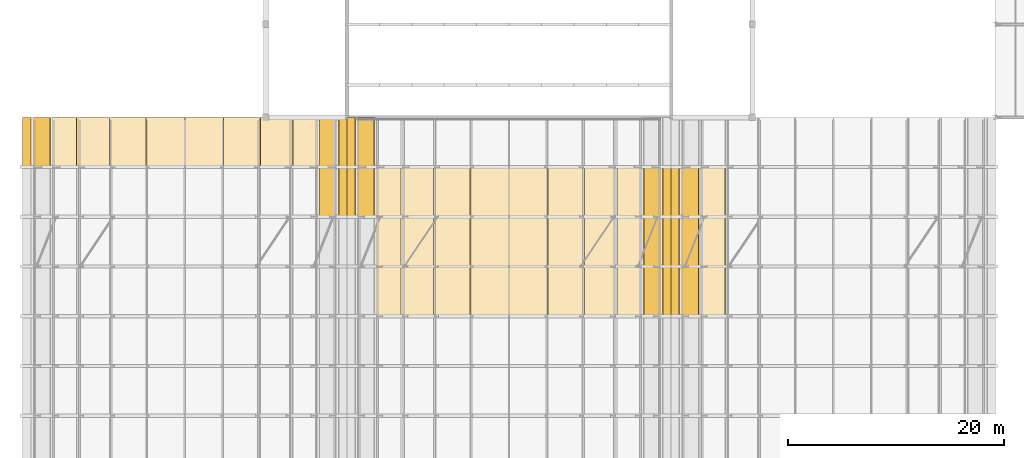
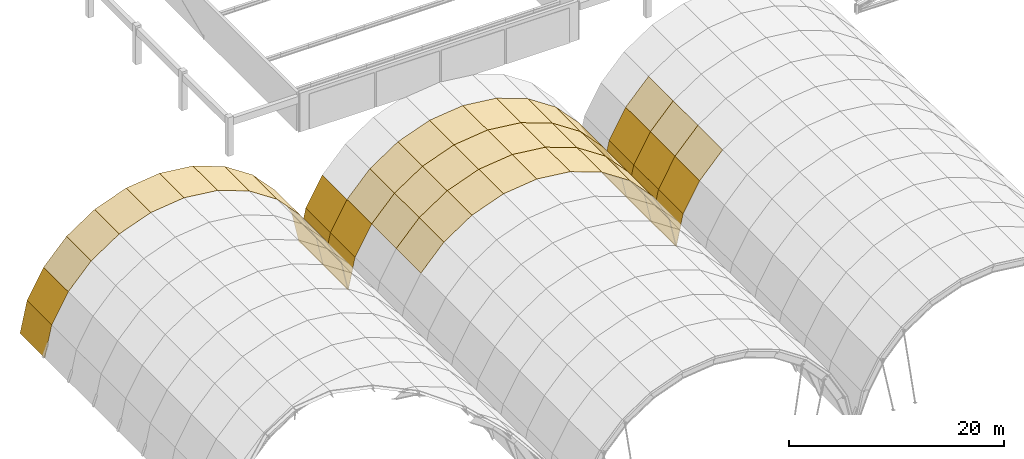
# One storey, part 44 of 47: 57 coverings.
"""IFC4 building model written with IfcOpenShell, lengths in metres."""

from ifc_helpers import new_model, si_unit, direction, frame, origin, place, context, subcontext, project, spatial, polyline, outline, extrude, material, layer, layer_set, type_object, element, save


model = new_model("IFC4")

# Units and contexts
model_context = context("Model", 3, precision=1e-05, world=origin(), true_north=direction((0.0, 1.0)))
body_context = subcontext(model_context, "Body", "Model", "MODEL_VIEW")
ifc_project = project(units=[si_unit("LENGTHUNIT", "METRE"), si_unit("AREAUNIT", "SQUARE_METRE"), si_unit("VOLUMEUNIT", "CUBIC_METRE"), si_unit("PLANEANGLEUNIT", "RADIAN"), si_unit("MASSUNIT", "GRAM", prefix="KILO")], contexts=[model_context])

# Site, building, storey
site_placement = place(None, origin())
site = spatial("IfcSite", under=ifc_project, at=site_placement, CompositionType="ELEMENT")
building_placement = place(site_placement, origin())
building = spatial("IfcBuilding", under=site, at=building_placement, Name="Muzn Square Opera House", CompositionType="ELEMENT")
storey_placement = place(building_placement, frame((0.0, 0.0, 31.0)))
storey = spatial("IfcBuildingStorey", under=building, at=storey_placement, Name="RF-1", CompositionType="ELEMENT", Elevation=31.0)

# Coverings
ifc_material = material(Name="Patina green copper-zinc standing seam", Category="metal")
ifc_layer = layer(ifc_material, 0.0400390625, Name="Patina green copper-zinc standing seam", Category="metal")
ifc_layer_set = layer_set([ifc_layer], Name="Patina green copper-zinc standing seam")
covering_type = type_object("IfcCoveringType", Name="Standing Seam Green Vault Roofing", PredefinedType="ROOFING", material=ifc_layer_set)
covering_1_placement = place(storey_placement, frame((70.47509765625, 63.39990234375, -5.8681640625), z_axis=(0.870532696062, 0.0, 0.492110582174), x_axis=(0.492110582174, 0.0, -0.870532696062)))
element("IfcCovering", 1, at=covering_1_placement, inside=storey, type_object=covering_type, Name="Patina Green Standing Seam Vault Roofing V1-09-F10", PredefinedType="ROOFING", context=body_context, shape_type="SweptSolid", body=[
    extrude(outline(polyline([(0.0, 0.0), (3.6206055016752363, 0.0), (3.6206055016752363, 4.60009765625), (0.0, 4.60009765625), (0.0, 0.0)])), origin(), (0.0, 0.0, -1.0), 0.0400390625),
])
covering_2_placement = place(storey_placement, frame((72.2568359375, 63.39990234375, -9.02001953125), z_axis=(0.976986683404, 0.0, 0.213300305792), x_axis=(0.213300305792, 0.0, -0.976986683404)))
element("IfcCovering", 2, at=covering_2_placement, inside=storey, type_object=covering_type, Name="Patina Green Standing Seam Vault Roofing V1-09-F11", PredefinedType="ROOFING", context=body_context, shape_type="SweptSolid", body=[
    extrude(outline(polyline([(0.0, 0.0), (3.5619528166180294, 0.0), (3.5619528166180294, 4.600097656249999), (0.0, 4.600097656249999), (0.0, 0.0)])), origin(), (0.0, 0.0, -1.0), 0.0400390625),
])
covering_3_placement = place(storey_placement, frame((43.7431640625, 68.0, -9.02001953125), z_axis=(-0.976986683404, 0.0, 0.213300305792), x_axis=(0.0, 1.0, 0.0)))
element("IfcCovering", 3, at=covering_3_placement, inside=storey, type_object=covering_type, Name="Patina Green Standing Seam Vault Roofing V1-10-F00", PredefinedType="ROOFING", context=body_context, shape_type="SweptSolid", body=[
    extrude(outline(polyline([(0.0, 3.561952816618029), (0.0, 0.0), (4.60009765625, 0.0), (4.60009765625, 3.561952816618029), (0.0, 3.561952816618029)])), origin(), (0.0, 0.0, -1.0), 0.0400390625),
])
covering_4_placement = place(storey_placement, frame((45.52490234375, 68.0, -5.8681640625), z_axis=(-0.870532696062, 0.0, 0.492110582174), x_axis=(0.0, 1.0, 0.0)))
element("IfcCovering", 4, at=covering_4_placement, inside=storey, type_object=covering_type, Name="Patina Green Standing Seam Vault Roofing V1-10-F01", PredefinedType="ROOFING", context=body_context, shape_type="SweptSolid", body=[
    extrude(outline(polyline([(0.0, 3.620605501675236), (0.0, 0.0), (4.60009765625, 0.0), (4.60009765625, 3.620605501675236), (0.0, 3.620605501675236)])), origin(), (0.0, 0.0, -1.0), 0.0400390625),
])
covering_5_placement = place(storey_placement, frame((47.99072265625, 68.0, -3.217041015625), z_axis=(-0.732233658575, 0.0, 0.68105349955), x_axis=(0.0, 1.0, 0.0)))
element("IfcCovering", 5, at=covering_5_placement, inside=storey, type_object=covering_type, Name="Patina Green Standing Seam Vault Roofing V1-10-F02", PredefinedType="ROOFING", context=body_context, shape_type="SweptSolid", body=[
    extrude(outline(polyline([(0.0, 3.6205970810364114), (0.0, 0.0), (4.60009765625, 0.0), (4.60009765625, 3.6205970810364114), (0.0, 3.6205970810364114)])), origin(), (0.0, 0.0, -1.0), 0.0400390625),
])
covering_6_placement = place(storey_placement, frame((51.005859375, 68.0, -1.212158203125), z_axis=(-0.553703965812, 0.0, 0.832713587162), x_axis=(0.0, 1.0, 0.0)))
element("IfcCovering", 6, at=covering_6_placement, inside=storey, type_object=covering_type, Name="Patina Green Standing Seam Vault Roofing V1-10-F03", PredefinedType="ROOFING", context=body_context, shape_type="SweptSolid", body=[
    extrude(outline(polyline([(0.0, 3.620856877123484), (0.0, 0.0), (4.60009765625, 0.0), (4.60009765625, 3.620856877123484), (0.0, 3.620856877123484)])), origin(), (0.0, 0.0, -1.0), 0.0400390625),
])
covering_7_placement = place(storey_placement, frame((54.404296875, 68.0, 0.036376953125), z_axis=(-0.344848988651, 0.0, 0.938658177947), x_axis=(0.0, 1.0, 0.0)))
element("IfcCovering", 7, at=covering_7_placement, inside=storey, type_object=covering_type, Name="Patina Green Standing Seam Vault Roofing V1-10-F04", PredefinedType="ROOFING", context=body_context, shape_type="SweptSolid", body=[
    extrude(outline(polyline([(0.0, 3.6205272375440654), (0.0, 0.0), (4.60009765625, 0.0), (4.60009765625, 3.6205272375440654), (0.0, 3.6205272375440654)])), origin(), (0.0, 0.0, -1.0), 0.0400390625),
])
covering_8_placement = place(storey_placement, frame((58.0, 68.0, 0.4599609375), z_axis=(-0.116993830326, 0.0, 0.993132641527), x_axis=(0.0, 1.0, 0.0)))
element("IfcCovering", 8, at=covering_8_placement, inside=storey, type_object=covering_type, Name="Patina Green Standing Seam Vault Roofing V1-10-F05", PredefinedType="ROOFING", context=body_context, shape_type="SweptSolid", body=[
    extrude(outline(polyline([(0.0, 3.620566855473569), (0.0, 0.0), (4.60009765625, 0.0), (4.60009765625, 3.620566855473569), (0.0, 3.620566855473569)])), origin(), (0.0, 0.0, -1.0), 0.0400390625),
])
covering_9_placement = place(storey_placement, frame((58.0, 68.0, 0.4599609375), z_axis=(0.116993830326, 0.0, 0.993132641527), x_axis=(0.993132641527, 0.0, -0.116993830326)))
element("IfcCovering", 9, at=covering_9_placement, inside=storey, type_object=covering_type, Name="Patina Green Standing Seam Vault Roofing V1-10-F06", PredefinedType="ROOFING", context=body_context, shape_type="SweptSolid", body=[
    extrude(outline(polyline([(0.0, 0.0), (3.620566855473569, 0.0), (3.620566855473569, 4.60009765625), (0.0, 4.60009765625), (0.0, 0.0)])), origin(), (0.0, 0.0, -1.0), 0.0400390625),
])
covering_10_placement = place(storey_placement, frame((61.595703125, 68.0, 0.036376953125), z_axis=(0.344848988651, 0.0, 0.938658177947), x_axis=(0.938658177947, 0.0, -0.344848988651)))
element("IfcCovering", 10, at=covering_10_placement, inside=storey, type_object=covering_type, Name="Patina Green Standing Seam Vault Roofing V1-10-F07", PredefinedType="ROOFING", context=body_context, shape_type="SweptSolid", body=[
    extrude(outline(polyline([(0.0, 0.0), (3.6205272375440654, 0.0), (3.6205272375440654, 4.60009765625), (0.0, 4.60009765625), (0.0, 0.0)])), origin(), (0.0, 0.0, -1.0), 0.0400390625),
])
covering_11_placement = place(storey_placement, frame((64.994140625, 68.0, -1.212158203125), z_axis=(0.553703965812, 0.0, 0.832713587162), x_axis=(0.832713587162, 0.0, -0.553703965812)))
element("IfcCovering", 11, at=covering_11_placement, inside=storey, type_object=covering_type, Name="Patina Green Standing Seam Vault Roofing V1-10-F08", PredefinedType="ROOFING", context=body_context, shape_type="SweptSolid", body=[
    extrude(outline(polyline([(0.0, 0.0), (3.620856877123484, 0.0), (3.620856877123484, 4.60009765625), (0.0, 4.60009765625), (0.0, 0.0)])), origin(), (0.0, 0.0, -1.0), 0.0400390625),
])
covering_12_placement = place(storey_placement, frame((68.00927734375, 68.0, -3.217041015625), z_axis=(0.732233658575, 0.0, 0.68105349955), x_axis=(0.68105349955, 0.0, -0.732233658575)))
element("IfcCovering", 12, at=covering_12_placement, inside=storey, type_object=covering_type, Name="Patina Green Standing Seam Vault Roofing V1-10-F09", PredefinedType="ROOFING", context=body_context, shape_type="SweptSolid", body=[
    extrude(outline(polyline([(0.0, 0.0), (3.6205970810364114, 0.0), (3.6205970810364114, 4.60009765625), (0.0, 4.60009765625), (0.0, 0.0)])), origin(), (0.0, 0.0, -1.0), 0.0400390625),
])
covering_13_placement = place(storey_placement, frame((70.47509765625, 68.0, -5.8681640625), z_axis=(0.870532696062, 0.0, 0.492110582174), x_axis=(0.492110582174, 0.0, -0.870532696062)))
element("IfcCovering", 13, at=covering_13_placement, inside=storey, type_object=covering_type, Name="Patina Green Standing Seam Vault Roofing V1-10-F10", PredefinedType="ROOFING", context=body_context, shape_type="SweptSolid", body=[
    extrude(outline(polyline([(0.0, 0.0), (3.6206055016752363, 0.0), (3.6206055016752363, 4.60009765625), (0.0, 4.60009765625), (0.0, 0.0)])), origin(), (0.0, 0.0, -1.0), 0.0400390625),
])
covering_14_placement = place(storey_placement, frame((72.2568359375, 68.0, -9.02001953125), z_axis=(0.976986683404, 0.0, 0.213300305792), x_axis=(0.213300305792, 0.0, -0.976986683404)))
element("IfcCovering", 14, at=covering_14_placement, inside=storey, type_object=covering_type, Name="Patina Green Standing Seam Vault Roofing V1-10-F11", PredefinedType="ROOFING", context=body_context, shape_type="SweptSolid", body=[
    extrude(outline(polyline([(0.0, 0.0), (3.5619528166180294, 0.0), (3.5619528166180294, 4.600097656249999), (0.0, 4.600097656249999), (0.0, 0.0)])), origin(), (0.0, 0.0, -1.0), 0.0400390625),
])
covering_15_placement = place(storey_placement, frame((77.99072265625, 54.199951171875, -3.217041015625), z_axis=(-0.732233658575, 0.0, 0.68105349955), x_axis=(0.0, 1.0, 0.0)))
element("IfcCovering", 15, at=covering_15_placement, inside=storey, type_object=covering_type, Name="Patina Green Standing Seam Vault Roofing V2-07-F02", PredefinedType="ROOFING", context=body_context, shape_type="SweptSolid", body=[
    extrude(outline(polyline([(0.0, 3.6205970810364114), (0.0, 0.0), (4.60009765625, 0.0), (4.60009765625, 3.6205970810364114), (0.0, 3.6205970810364114)])), origin(), (0.0, 0.0, -1.0), 0.0400390625),
])
covering_16_placement = place(storey_placement, frame((81.005859375, 54.199951171875, -1.212158203125), z_axis=(-0.553703965812, 0.0, 0.832713587162), x_axis=(0.0, 1.0, 0.0)))
element("IfcCovering", 16, at=covering_16_placement, inside=storey, type_object=covering_type, Name="Patina Green Standing Seam Vault Roofing V2-07-F03", PredefinedType="ROOFING", context=body_context, shape_type="SweptSolid", body=[
    extrude(outline(polyline([(0.0, 3.620856877123484), (0.0, 0.0), (4.60009765625, 0.0), (4.60009765625, 3.620856877123484), (0.0, 3.620856877123484)])), origin(), (0.0, 0.0, -1.0), 0.0400390625),
])
covering_17_placement = place(storey_placement, frame((84.404296875, 54.199951171875, 0.036376953125), z_axis=(-0.344848988651, 0.0, 0.938658177947), x_axis=(0.0, 1.0, 0.0)))
element("IfcCovering", 17, at=covering_17_placement, inside=storey, type_object=covering_type, Name="Patina Green Standing Seam Vault Roofing V2-07-F04", PredefinedType="ROOFING", context=body_context, shape_type="SweptSolid", body=[
    extrude(outline(polyline([(0.0, 3.6205272375440654), (0.0, 0.0), (4.60009765625, 0.0), (4.60009765625, 3.6205272375440654), (0.0, 3.6205272375440654)])), origin(), (0.0, 0.0, -1.0), 0.0400390625),
])
covering_18_placement = place(storey_placement, frame((88.0, 54.199951171875, 0.4599609375), z_axis=(-0.116993830326, 0.0, 0.993132641527), x_axis=(0.0, 1.0, 0.0)))
element("IfcCovering", 18, at=covering_18_placement, inside=storey, type_object=covering_type, Name="Patina Green Standing Seam Vault Roofing V2-07-F05", PredefinedType="ROOFING", context=body_context, shape_type="SweptSolid", body=[
    extrude(outline(polyline([(0.0, 3.620566855473569), (0.0, 0.0), (4.60009765625, 0.0), (4.60009765625, 3.620566855473569), (0.0, 3.620566855473569)])), origin(), (0.0, 0.0, -1.0), 0.0400390625),
])
covering_19_placement = place(storey_placement, frame((88.0, 54.199951171875, 0.4599609375), z_axis=(0.116993830326, 0.0, 0.993132641527), x_axis=(0.993132641527, 0.0, -0.116993830326)))
element("IfcCovering", 19, at=covering_19_placement, inside=storey, type_object=covering_type, Name="Patina Green Standing Seam Vault Roofing V2-07-F06", PredefinedType="ROOFING", context=body_context, shape_type="SweptSolid", body=[
    extrude(outline(polyline([(0.0, 0.0), (3.620566855473569, 0.0), (3.620566855473569, 4.60009765625), (0.0, 4.60009765625), (0.0, 0.0)])), origin(), (0.0, 0.0, -1.0), 0.0400390625),
])
covering_20_placement = place(storey_placement, frame((91.595703125, 54.199951171875, 0.036376953125), z_axis=(0.344848988651, 0.0, 0.938658177947), x_axis=(0.938658177947, 0.0, -0.344848988651)))
element("IfcCovering", 20, at=covering_20_placement, inside=storey, type_object=covering_type, Name="Patina Green Standing Seam Vault Roofing V2-07-F07", PredefinedType="ROOFING", context=body_context, shape_type="SweptSolid", body=[
    extrude(outline(polyline([(0.0, 0.0), (3.6205272375440654, 0.0), (3.6205272375440654, 4.60009765625), (0.0, 4.60009765625), (0.0, 0.0)])), origin(), (0.0, 0.0, -1.0), 0.0400390625),
])
covering_21_placement = place(storey_placement, frame((94.994140625, 54.199951171875, -1.212158203125), z_axis=(0.553703965812, 0.0, 0.832713587162), x_axis=(0.832713587162, 0.0, -0.553703965812)))
element("IfcCovering", 21, at=covering_21_placement, inside=storey, type_object=covering_type, Name="Patina Green Standing Seam Vault Roofing V2-07-F08", PredefinedType="ROOFING", context=body_context, shape_type="SweptSolid", body=[
    extrude(outline(polyline([(0.0, 0.0), (3.620856877123484, 0.0), (3.620856877123484, 4.60009765625), (0.0, 4.60009765625), (0.0, 0.0)])), origin(), (0.0, 0.0, -1.0), 0.0400390625),
])
covering_22_placement = place(storey_placement, frame((98.00927734375, 54.199951171875, -3.217041015625), z_axis=(0.732233658575, 0.0, 0.68105349955), x_axis=(0.68105349955, 0.0, -0.732233658575)))
element("IfcCovering", 22, at=covering_22_placement, inside=storey, type_object=covering_type, Name="Patina Green Standing Seam Vault Roofing V2-07-F09", PredefinedType="ROOFING", context=body_context, shape_type="SweptSolid", body=[
    extrude(outline(polyline([(0.0, 0.0), (3.6205970810364114, 0.0), (3.6205970810364114, 4.60009765625), (0.0, 4.60009765625), (0.0, 0.0)])), origin(), (0.0, 0.0, -1.0), 0.0400390625),
])
covering_23_placement = place(storey_placement, frame((100.47509765625, 54.199951171875, -5.8681640625), z_axis=(0.870532696062, 0.0, 0.492110582174), x_axis=(0.492110582174, 0.0, -0.870532696062)))
element("IfcCovering", 23, at=covering_23_placement, inside=storey, type_object=covering_type, Name="Patina Green Standing Seam Vault Roofing V2-07-F10", PredefinedType="ROOFING", context=body_context, shape_type="SweptSolid", body=[
    extrude(outline(polyline([(0.0, 0.0), (3.6206055016752363, 0.0), (3.6206055016752363, 4.60009765625), (0.0, 4.60009765625), (0.0, 0.0)])), origin(), (0.0, 0.0, -1.0), 0.0400390625),
])
covering_24_placement = place(storey_placement, frame((102.2568359375, 54.199951171875, -9.02001953125), z_axis=(0.976986683404, 0.0, 0.213300305792), x_axis=(0.213300305792, 0.0, -0.976986683404)))
element("IfcCovering", 24, at=covering_24_placement, inside=storey, type_object=covering_type, Name="Patina Green Standing Seam Vault Roofing V2-07-F11", PredefinedType="ROOFING", context=body_context, shape_type="SweptSolid", body=[
    extrude(outline(polyline([(0.0, 0.0), (3.5619528166180294, 0.0), (3.5619528166180294, 4.600097656249999), (0.0, 4.600097656249999), (0.0, 0.0)])), origin(), (0.0, 0.0, -1.0), 0.0400390625),
])
covering_25_placement = place(storey_placement, frame((77.99072265625, 58.800048828125, -3.217041015625), z_axis=(-0.732233658575, 0.0, 0.68105349955), x_axis=(0.0, 1.0, 0.0)))
element("IfcCovering", 25, at=covering_25_placement, inside=storey, type_object=covering_type, Name="Patina Green Standing Seam Vault Roofing V2-08-F02", PredefinedType="ROOFING", context=body_context, shape_type="SweptSolid", body=[
    extrude(outline(polyline([(0.0, 3.6205970810364114), (0.0, 0.0), (4.599853515625, 0.0), (4.599853515625, 3.6205970810364114), (0.0, 3.6205970810364114)])), origin(), (0.0, 0.0, -1.0), 0.0400390625),
])
covering_26_placement = place(storey_placement, frame((81.005859375, 58.800048828125, -1.212158203125), z_axis=(-0.553703965812, 0.0, 0.832713587162), x_axis=(0.0, 1.0, 0.0)))
element("IfcCovering", 26, at=covering_26_placement, inside=storey, type_object=covering_type, Name="Patina Green Standing Seam Vault Roofing V2-08-F03", PredefinedType="ROOFING", context=body_context, shape_type="SweptSolid", body=[
    extrude(outline(polyline([(0.0, 3.620856877123484), (0.0, 0.0), (4.599853515625, 0.0), (4.599853515625, 3.620856877123484), (0.0, 3.620856877123484)])), origin(), (0.0, 0.0, -1.0), 0.0400390625),
])
covering_27_placement = place(storey_placement, frame((84.404296875, 58.800048828125, 0.036376953125), z_axis=(-0.344848988651, 0.0, 0.938658177947), x_axis=(0.0, 1.0, 0.0)))
element("IfcCovering", 27, at=covering_27_placement, inside=storey, type_object=covering_type, Name="Patina Green Standing Seam Vault Roofing V2-08-F04", PredefinedType="ROOFING", context=body_context, shape_type="SweptSolid", body=[
    extrude(outline(polyline([(0.0, 3.6205272375440662), (0.0, 0.0), (4.599853515625, 0.0), (4.599853515625, 3.6205272375440662), (0.0, 3.6205272375440662)])), origin(), (0.0, 0.0, -1.0), 0.0400390625),
])
covering_28_placement = place(storey_placement, frame((88.0, 58.800048828125, 0.4599609375), z_axis=(-0.116993830326, 0.0, 0.993132641527), x_axis=(0.0, 1.0, 0.0)))
element("IfcCovering", 28, at=covering_28_placement, inside=storey, type_object=covering_type, Name="Patina Green Standing Seam Vault Roofing V2-08-F05", PredefinedType="ROOFING", context=body_context, shape_type="SweptSolid", body=[
    extrude(outline(polyline([(0.0, 3.620566855473569), (0.0, 0.0), (4.599853515625, 0.0), (4.599853515625, 3.620566855473569), (0.0, 3.620566855473569)])), origin(), (0.0, 0.0, -1.0), 0.0400390625),
])
covering_29_placement = place(storey_placement, frame((88.0, 58.800048828125, 0.4599609375), z_axis=(0.116993830326, 0.0, 0.993132641527), x_axis=(0.993132641527, 0.0, -0.116993830326)))
element("IfcCovering", 29, at=covering_29_placement, inside=storey, type_object=covering_type, Name="Patina Green Standing Seam Vault Roofing V2-08-F06", PredefinedType="ROOFING", context=body_context, shape_type="SweptSolid", body=[
    extrude(outline(polyline([(0.0, 0.0), (3.620566855473569, 0.0), (3.620566855473569, 4.599853515625), (0.0, 4.599853515625), (0.0, 0.0)])), origin(), (0.0, 0.0, -1.0), 0.0400390625),
])
covering_30_placement = place(storey_placement, frame((91.595703125, 58.800048828125, 0.036376953125), z_axis=(0.344848988651, 0.0, 0.938658177947), x_axis=(0.938658177947, 0.0, -0.344848988651)))
element("IfcCovering", 30, at=covering_30_placement, inside=storey, type_object=covering_type, Name="Patina Green Standing Seam Vault Roofing V2-08-F07", PredefinedType="ROOFING", context=body_context, shape_type="SweptSolid", body=[
    extrude(outline(polyline([(0.0, 0.0), (3.620527237544066, 0.0), (3.620527237544066, 4.599853515625001), (0.0, 4.599853515625001), (0.0, 0.0)])), origin(), (0.0, 0.0, -1.0), 0.0400390625),
])
covering_31_placement = place(storey_placement, frame((94.994140625, 58.800048828125, -1.212158203125), z_axis=(0.553703965812, 0.0, 0.832713587162), x_axis=(0.832713587162, 0.0, -0.553703965812)))
element("IfcCovering", 31, at=covering_31_placement, inside=storey, type_object=covering_type, Name="Patina Green Standing Seam Vault Roofing V2-08-F08", PredefinedType="ROOFING", context=body_context, shape_type="SweptSolid", body=[
    extrude(outline(polyline([(0.0, 0.0), (3.620856877123484, 0.0), (3.620856877123484, 4.599853515625), (0.0, 4.599853515625), (0.0, 0.0)])), origin(), (0.0, 0.0, -1.0), 0.0400390625),
])
covering_32_placement = place(storey_placement, frame((98.00927734375, 58.800048828125, -3.217041015625), z_axis=(0.732233658575, 0.0, 0.68105349955), x_axis=(0.68105349955, 0.0, -0.732233658575)))
element("IfcCovering", 32, at=covering_32_placement, inside=storey, type_object=covering_type, Name="Patina Green Standing Seam Vault Roofing V2-08-F09", PredefinedType="ROOFING", context=body_context, shape_type="SweptSolid", body=[
    extrude(outline(polyline([(0.0, 0.0), (3.6205970810364114, 0.0), (3.6205970810364114, 4.599853515625), (0.0, 4.599853515625), (0.0, 0.0)])), origin(), (0.0, 0.0, -1.0), 0.0400390625),
])
covering_33_placement = place(storey_placement, frame((100.47509765625, 58.800048828125, -5.8681640625), z_axis=(0.870532696062, 0.0, 0.492110582174), x_axis=(0.492110582174, 0.0, -0.870532696062)))
element("IfcCovering", 33, at=covering_33_placement, inside=storey, type_object=covering_type, Name="Patina Green Standing Seam Vault Roofing V2-08-F10", PredefinedType="ROOFING", context=body_context, shape_type="SweptSolid", body=[
    extrude(outline(polyline([(0.0, 0.0), (3.620605501675236, 0.0), (3.620605501675236, 4.599853515625001), (0.0, 4.599853515625001), (0.0, 0.0)])), origin(), (0.0, 0.0, -1.0), 0.0400390625),
])
covering_34_placement = place(storey_placement, frame((102.2568359375, 58.800048828125, -9.02001953125), z_axis=(0.976986683404, 0.0, 0.213300305792), x_axis=(0.213300305792, 0.0, -0.976986683404)))
element("IfcCovering", 34, at=covering_34_placement, inside=storey, type_object=covering_type, Name="Patina Green Standing Seam Vault Roofing V2-08-F11", PredefinedType="ROOFING", context=body_context, shape_type="SweptSolid", body=[
    extrude(outline(polyline([(0.0, 0.0), (3.5619528166180294, 0.0), (3.5619528166180294, 4.599853515625001), (0.0, 4.599853515625001), (0.0, 0.0)])), origin(), (0.0, 0.0, -1.0), 0.0400390625),
])
covering_35_placement = place(storey_placement, frame((73.7431640625, 63.39990234375, -9.02001953125), z_axis=(-0.976986683404, 0.0, 0.213300305792), x_axis=(0.0, 1.0, 0.0)))
element("IfcCovering", 35, at=covering_35_placement, inside=storey, type_object=covering_type, Name="Patina Green Standing Seam Vault Roofing V2-09-F00", PredefinedType="ROOFING", context=body_context, shape_type="SweptSolid", body=[
    extrude(outline(polyline([(0.0, 3.561952816618029), (0.0, 0.0), (4.60009765625, 0.0), (4.60009765625, 3.561952816618029), (0.0, 3.561952816618029)])), origin(), (0.0, 0.0, -1.0), 0.0400390625),
])
covering_36_placement = place(storey_placement, frame((75.52490234375, 63.39990234375, -5.8681640625), z_axis=(-0.870532696062, 0.0, 0.492110582174), x_axis=(0.0, 1.0, 0.0)))
element("IfcCovering", 36, at=covering_36_placement, inside=storey, type_object=covering_type, Name="Patina Green Standing Seam Vault Roofing V2-09-F01", PredefinedType="ROOFING", context=body_context, shape_type="SweptSolid", body=[
    extrude(outline(polyline([(0.0, 3.620605501675236), (0.0, 0.0), (4.60009765625, 0.0), (4.60009765625, 3.620605501675236), (0.0, 3.620605501675236)])), origin(), (0.0, 0.0, -1.0), 0.0400390625),
])
covering_37_placement = place(storey_placement, frame((77.99072265625, 63.39990234375, -3.217041015625), z_axis=(-0.732233658575, 0.0, 0.68105349955), x_axis=(0.0, 1.0, 0.0)))
element("IfcCovering", 37, at=covering_37_placement, inside=storey, type_object=covering_type, Name="Patina Green Standing Seam Vault Roofing V2-09-F02", PredefinedType="ROOFING", context=body_context, shape_type="SweptSolid", body=[
    extrude(outline(polyline([(0.0, 3.6205970810364114), (0.0, 0.0), (4.60009765625, 0.0), (4.60009765625, 3.6205970810364114), (0.0, 3.6205970810364114)])), origin(), (0.0, 0.0, -1.0), 0.0400390625),
])
covering_38_placement = place(storey_placement, frame((81.005859375, 63.39990234375, -1.212158203125), z_axis=(-0.553703965812, 0.0, 0.832713587162), x_axis=(0.0, 1.0, 0.0)))
element("IfcCovering", 38, at=covering_38_placement, inside=storey, type_object=covering_type, Name="Patina Green Standing Seam Vault Roofing V2-09-F03", PredefinedType="ROOFING", context=body_context, shape_type="SweptSolid", body=[
    extrude(outline(polyline([(0.0, 3.620856877123484), (0.0, 0.0), (4.60009765625, 0.0), (4.60009765625, 3.620856877123484), (0.0, 3.620856877123484)])), origin(), (0.0, 0.0, -1.0), 0.0400390625),
])
covering_39_placement = place(storey_placement, frame((84.404296875, 63.39990234375, 0.036376953125), z_axis=(-0.344848988651, 0.0, 0.938658177947), x_axis=(0.0, 1.0, 0.0)))
element("IfcCovering", 39, at=covering_39_placement, inside=storey, type_object=covering_type, Name="Patina Green Standing Seam Vault Roofing V2-09-F04", PredefinedType="ROOFING", context=body_context, shape_type="SweptSolid", body=[
    extrude(outline(polyline([(0.0, 3.6205272375440654), (0.0, 0.0), (4.60009765625, 0.0), (4.60009765625, 3.6205272375440654), (0.0, 3.6205272375440654)])), origin(), (0.0, 0.0, -1.0), 0.0400390625),
])
covering_40_placement = place(storey_placement, frame((88.0, 63.39990234375, 0.4599609375), z_axis=(-0.116993830326, 0.0, 0.993132641527), x_axis=(0.0, 1.0, 0.0)))
element("IfcCovering", 40, at=covering_40_placement, inside=storey, type_object=covering_type, Name="Patina Green Standing Seam Vault Roofing V2-09-F05", PredefinedType="ROOFING", context=body_context, shape_type="SweptSolid", body=[
    extrude(outline(polyline([(0.0, 3.620566855473569), (0.0, 0.0), (4.60009765625, 0.0), (4.60009765625, 3.620566855473569), (0.0, 3.620566855473569)])), origin(), (0.0, 0.0, -1.0), 0.0400390625),
])
covering_41_placement = place(storey_placement, frame((88.0, 63.39990234375, 0.4599609375), z_axis=(0.116993830326, 0.0, 0.993132641527), x_axis=(0.993132641527, 0.0, -0.116993830326)))
element("IfcCovering", 41, at=covering_41_placement, inside=storey, type_object=covering_type, Name="Patina Green Standing Seam Vault Roofing V2-09-F06", PredefinedType="ROOFING", context=body_context, shape_type="SweptSolid", body=[
    extrude(outline(polyline([(0.0, 0.0), (3.620566855473569, 0.0), (3.620566855473569, 4.60009765625), (0.0, 4.60009765625), (0.0, 0.0)])), origin(), (0.0, 0.0, -1.0), 0.0400390625),
])
covering_42_placement = place(storey_placement, frame((91.595703125, 63.39990234375, 0.036376953125), z_axis=(0.344848988651, 0.0, 0.938658177947), x_axis=(0.938658177947, 0.0, -0.344848988651)))
element("IfcCovering", 42, at=covering_42_placement, inside=storey, type_object=covering_type, Name="Patina Green Standing Seam Vault Roofing V2-09-F07", PredefinedType="ROOFING", context=body_context, shape_type="SweptSolid", body=[
    extrude(outline(polyline([(0.0, 0.0), (3.6205272375440654, 0.0), (3.6205272375440654, 4.60009765625), (0.0, 4.60009765625), (0.0, 0.0)])), origin(), (0.0, 0.0, -1.0), 0.0400390625),
])
covering_43_placement = place(storey_placement, frame((94.994140625, 63.39990234375, -1.212158203125), z_axis=(0.553703965812, 0.0, 0.832713587162), x_axis=(0.832713587162, 0.0, -0.553703965812)))
element("IfcCovering", 43, at=covering_43_placement, inside=storey, type_object=covering_type, Name="Patina Green Standing Seam Vault Roofing V2-09-F08", PredefinedType="ROOFING", context=body_context, shape_type="SweptSolid", body=[
    extrude(outline(polyline([(0.0, 0.0), (3.620856877123484, 0.0), (3.620856877123484, 4.60009765625), (0.0, 4.60009765625), (0.0, 0.0)])), origin(), (0.0, 0.0, -1.0), 0.0400390625),
])
covering_44_placement = place(storey_placement, frame((98.00927734375, 63.39990234375, -3.217041015625), z_axis=(0.732233658575, 0.0, 0.68105349955), x_axis=(0.68105349955, 0.0, -0.732233658575)))
element("IfcCovering", 44, at=covering_44_placement, inside=storey, type_object=covering_type, Name="Patina Green Standing Seam Vault Roofing V2-09-F09", PredefinedType="ROOFING", context=body_context, shape_type="SweptSolid", body=[
    extrude(outline(polyline([(0.0, 0.0), (3.6205970810364114, 0.0), (3.6205970810364114, 4.60009765625), (0.0, 4.60009765625), (0.0, 0.0)])), origin(), (0.0, 0.0, -1.0), 0.0400390625),
])
covering_45_placement = place(storey_placement, frame((100.47509765625, 63.39990234375, -5.8681640625), z_axis=(0.870532696062, 0.0, 0.492110582174), x_axis=(0.492110582174, 0.0, -0.870532696062)))
element("IfcCovering", 45, at=covering_45_placement, inside=storey, type_object=covering_type, Name="Patina Green Standing Seam Vault Roofing V2-09-F10", PredefinedType="ROOFING", context=body_context, shape_type="SweptSolid", body=[
    extrude(outline(polyline([(0.0, 0.0), (3.6206055016752363, 0.0), (3.6206055016752363, 4.60009765625), (0.0, 4.60009765625), (0.0, 0.0)])), origin(), (0.0, 0.0, -1.0), 0.0400390625),
])
covering_46_placement = place(storey_placement, frame((102.2568359375, 63.39990234375, -9.02001953125), z_axis=(0.976986683404, 0.0, 0.213300305792), x_axis=(0.213300305792, 0.0, -0.976986683404)))
element("IfcCovering", 46, at=covering_46_placement, inside=storey, type_object=covering_type, Name="Patina Green Standing Seam Vault Roofing V2-09-F11", PredefinedType="ROOFING", context=body_context, shape_type="SweptSolid", body=[
    extrude(outline(polyline([(0.0, 0.0), (3.5619528166180294, 0.0), (3.5619528166180294, 4.600097656249999), (0.0, 4.600097656249999), (0.0, 0.0)])), origin(), (0.0, 0.0, -1.0), 0.0400390625),
])
covering_47_placement = place(storey_placement, frame((73.7431640625, 68.0, -9.02001953125), z_axis=(-0.976986683404, 0.0, 0.213300305792), x_axis=(0.0, 1.0, 0.0)))
element("IfcCovering", 47, at=covering_47_placement, inside=storey, type_object=covering_type, Name="Patina Green Standing Seam Vault Roofing V2-10-F00", PredefinedType="ROOFING", context=body_context, shape_type="SweptSolid", body=[
    extrude(outline(polyline([(0.0, 3.561952816618029), (0.0, 0.0), (4.60009765625, 0.0), (4.60009765625, 3.561952816618029), (0.0, 3.561952816618029)])), origin(), (0.0, 0.0, -1.0), 0.0400390625),
])
covering_48_placement = place(storey_placement, frame((75.52490234375, 68.0, -5.8681640625), z_axis=(-0.870532696062, 0.0, 0.492110582174), x_axis=(0.0, 1.0, 0.0)))
element("IfcCovering", 48, at=covering_48_placement, inside=storey, type_object=covering_type, Name="Patina Green Standing Seam Vault Roofing V2-10-F01", PredefinedType="ROOFING", context=body_context, shape_type="SweptSolid", body=[
    extrude(outline(polyline([(0.0, 3.620605501675236), (0.0, 0.0), (4.60009765625, 0.0), (4.60009765625, 3.620605501675236), (0.0, 3.620605501675236)])), origin(), (0.0, 0.0, -1.0), 0.0400390625),
])
covering_49_placement = place(storey_placement, frame((103.7431640625, 54.199951171875, -9.02001953125), z_axis=(-0.976986683404, 0.0, 0.213300305792), x_axis=(0.0, 1.0, 0.0)))
element("IfcCovering", 49, at=covering_49_placement, inside=storey, type_object=covering_type, Name="Patina Green Standing Seam Vault Roofing V3-07-F00", PredefinedType="ROOFING", context=body_context, shape_type="SweptSolid", body=[
    extrude(outline(polyline([(0.0, 3.561952816618029), (0.0, 0.0), (4.60009765625, 0.0), (4.60009765625, 3.561952816618029), (0.0, 3.561952816618029)])), origin(), (0.0, 0.0, -1.0), 0.0400390625),
])
covering_50_placement = place(storey_placement, frame((105.52490234375, 54.199951171875, -5.8681640625), z_axis=(-0.870532696062, 0.0, 0.492110582174), x_axis=(0.0, 1.0, 0.0)))
element("IfcCovering", 50, at=covering_50_placement, inside=storey, type_object=covering_type, Name="Patina Green Standing Seam Vault Roofing V3-07-F01", PredefinedType="ROOFING", context=body_context, shape_type="SweptSolid", body=[
    extrude(outline(polyline([(0.0, 3.620605501675236), (0.0, 0.0), (4.60009765625, 0.0), (4.60009765625, 3.620605501675236), (0.0, 3.620605501675236)])), origin(), (0.0, 0.0, -1.0), 0.0400390625),
])
covering_51_placement = place(storey_placement, frame((107.99072265625, 54.199951171875, -3.217041015625), z_axis=(-0.732233658575, 0.0, 0.68105349955), x_axis=(0.0, 1.0, 0.0)))
element("IfcCovering", 51, at=covering_51_placement, inside=storey, type_object=covering_type, Name="Patina Green Standing Seam Vault Roofing V3-07-F02", PredefinedType="ROOFING", context=body_context, shape_type="SweptSolid", body=[
    extrude(outline(polyline([(0.0, 3.6205970810364114), (0.0, 0.0), (4.60009765625, 0.0), (4.60009765625, 3.6205970810364114), (0.0, 3.6205970810364114)])), origin(), (0.0, 0.0, -1.0), 0.0400390625),
])
covering_52_placement = place(storey_placement, frame((103.7431640625, 58.800048828125, -9.02001953125), z_axis=(-0.976986683404, 0.0, 0.213300305792), x_axis=(0.0, 1.0, 0.0)))
element("IfcCovering", 52, at=covering_52_placement, inside=storey, type_object=covering_type, Name="Patina Green Standing Seam Vault Roofing V3-08-F00", PredefinedType="ROOFING", context=body_context, shape_type="SweptSolid", body=[
    extrude(outline(polyline([(0.0, 3.56195281661803), (0.0, 0.0), (4.599853515625, 0.0), (4.599853515625, 3.56195281661803), (0.0, 3.56195281661803)])), origin(), (0.0, 0.0, -1.0), 0.0400390625),
])
covering_53_placement = place(storey_placement, frame((105.52490234375, 58.800048828125, -5.8681640625), z_axis=(-0.870532696062, 0.0, 0.492110582174), x_axis=(0.0, 1.0, 0.0)))
element("IfcCovering", 53, at=covering_53_placement, inside=storey, type_object=covering_type, Name="Patina Green Standing Seam Vault Roofing V3-08-F01", PredefinedType="ROOFING", context=body_context, shape_type="SweptSolid", body=[
    extrude(outline(polyline([(0.0, 3.6206055016752363), (0.0, 0.0), (4.599853515625, 0.0), (4.599853515625, 3.6206055016752363), (0.0, 3.6206055016752363)])), origin(), (0.0, 0.0, -1.0), 0.0400390625),
])
covering_54_placement = place(storey_placement, frame((107.99072265625, 58.800048828125, -3.217041015625), z_axis=(-0.732233658575, 0.0, 0.68105349955), x_axis=(0.0, 1.0, 0.0)))
element("IfcCovering", 54, at=covering_54_placement, inside=storey, type_object=covering_type, Name="Patina Green Standing Seam Vault Roofing V3-08-F02", PredefinedType="ROOFING", context=body_context, shape_type="SweptSolid", body=[
    extrude(outline(polyline([(0.0, 3.6205970810364114), (0.0, 0.0), (4.599853515625, 0.0), (4.599853515625, 3.6205970810364114), (0.0, 3.6205970810364114)])), origin(), (0.0, 0.0, -1.0), 0.0400390625),
])
covering_55_placement = place(storey_placement, frame((103.7431640625, 63.39990234375, -9.02001953125), z_axis=(-0.976986683404, 0.0, 0.213300305792), x_axis=(0.0, 1.0, 0.0)))
element("IfcCovering", 55, at=covering_55_placement, inside=storey, type_object=covering_type, Name="Patina Green Standing Seam Vault Roofing V3-09-F00", PredefinedType="ROOFING", context=body_context, shape_type="SweptSolid", body=[
    extrude(outline(polyline([(0.0, 3.561952816618029), (0.0, 0.0), (4.60009765625, 0.0), (4.60009765625, 3.561952816618029), (0.0, 3.561952816618029)])), origin(), (0.0, 0.0, -1.0), 0.0400390625),
])
covering_56_placement = place(storey_placement, frame((105.52490234375, 63.39990234375, -5.8681640625), z_axis=(-0.870532696062, 0.0, 0.492110582174), x_axis=(0.0, 1.0, 0.0)))
element("IfcCovering", 56, at=covering_56_placement, inside=storey, type_object=covering_type, Name="Patina Green Standing Seam Vault Roofing V3-09-F01", PredefinedType="ROOFING", context=body_context, shape_type="SweptSolid", body=[
    extrude(outline(polyline([(0.0, 3.620605501675236), (0.0, 0.0), (4.60009765625, 0.0), (4.60009765625, 3.620605501675236), (0.0, 3.620605501675236)])), origin(), (0.0, 0.0, -1.0), 0.0400390625),
])
covering_57_placement = place(storey_placement, frame((107.99072265625, 63.39990234375, -3.217041015625), z_axis=(-0.732233658575, 0.0, 0.68105349955), x_axis=(0.0, 1.0, 0.0)))
element("IfcCovering", 57, at=covering_57_placement, inside=storey, type_object=covering_type, Name="Patina Green Standing Seam Vault Roofing V3-09-F02", PredefinedType="ROOFING", context=body_context, shape_type="SweptSolid", body=[
    extrude(outline(polyline([(0.0, 3.6205970810364114), (0.0, 0.0), (4.60009765625, 0.0), (4.60009765625, 3.6205970810364114), (0.0, 3.6205970810364114)])), origin(), (0.0, 0.0, -1.0), 0.0400390625),
])

save(model, "model.ifc")
